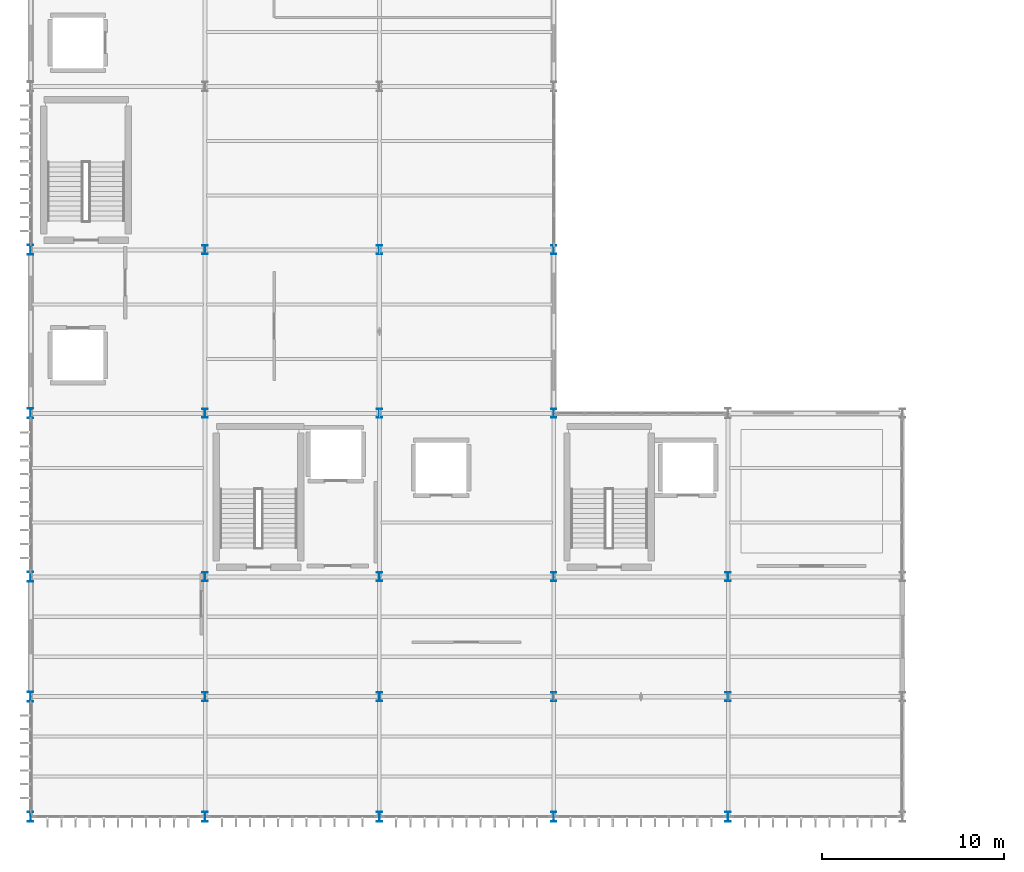
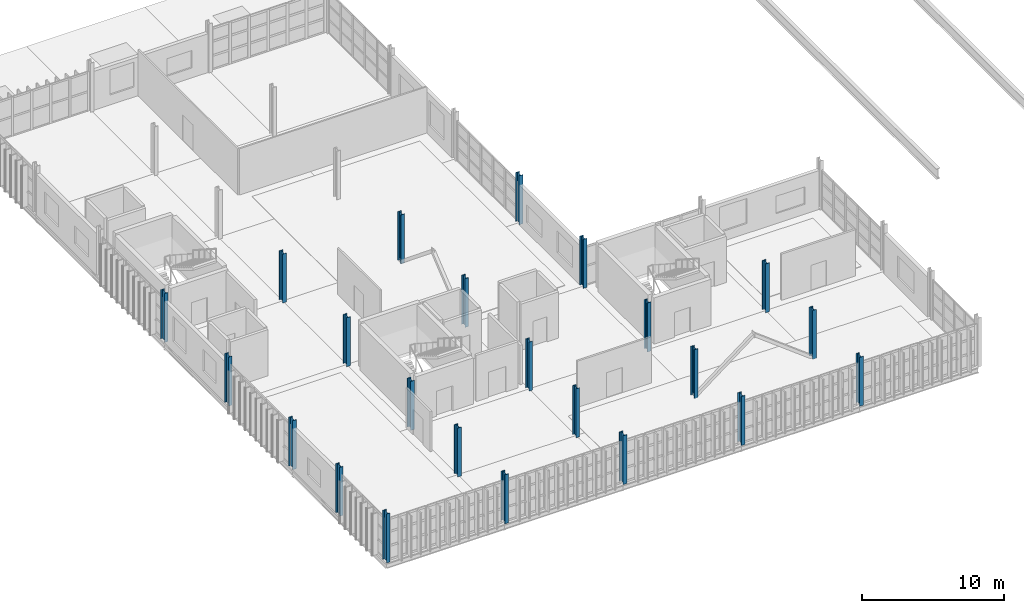
# One storey, part 1 of 52: 23 columns.
"""IFC4 building model written with IfcOpenShell, lengths in metres."""

from ifc_helpers import new_model, si_unit, direction, frame, origin, origin_2d, place, context, subcontext, project, spatial, i_section, extrude, material, material_profile, profile_set, type_object, element, save


model = new_model("IFC4")

# Units and contexts
model_context = context("Model", 3, precision=1e-05, world=origin(), true_north=direction((0.0, 1.0)))
body_context = subcontext(model_context, "Body", "Model", "MODEL_VIEW")
ifc_project = project(units=[si_unit("LENGTHUNIT", "METRE"), si_unit("AREAUNIT", "SQUARE_METRE"), si_unit("VOLUMEUNIT", "CUBIC_METRE"), si_unit("PLANEANGLEUNIT", "RADIAN"), si_unit("MASSUNIT", "GRAM", prefix="KILO")], contexts=[model_context])

# Site, building, storey
site_placement = place(None, origin())
site = spatial("IfcSite", under=ifc_project, at=site_placement, CompositionType="ELEMENT")
building_placement = place(site_placement, origin())
building = spatial("IfcBuilding", under=site, at=building_placement, Name="Zarnetskaya Central Station", CompositionType="ELEMENT")
storey_placement = place(building_placement, frame((0.0, 0.0, 14.39990234375)))
storey = spatial("IfcBuildingStorey", under=building, at=storey_placement, Name="L03", CompositionType="ELEMENT", Elevation=14.39990234375)

# Columns
ifc_material = material(Name="Steel S355", Category="steel")
ifc_material_profile_1 = material_profile(ifc_material, i_section(OverallWidth=0.300048828125, OverallDepth=0.550048828125, WebThickness=0.014892578125, FlangeThickness=0.029052734375, FilletRadius=0.027099609375, at=origin_2d()), Name="HEB 550")
ifc_profile_set_1 = profile_set([ifc_material_profile_1], Name="Steel S355")
column_type_1 = type_object("IfcColumnType", Name="COL-V5-MID-E", PredefinedType="COLUMN", material=ifc_profile_set_1)
for number, where, z_axis, x_axis, name in (
    (1, (0.0, 0.0, 0.0), (0.0, 0.0, 1.0), (1.0, 0.0, 0.0), "Column A1 L03"),
    (2, (0.0, 6.60009765625, 0.0), (0.0, 0.0, 1.0), (1.0, 0.0, 0.0), "Column A2 L03"),
    (3, (0.0, 13.199951171875, 0.0), (0.0, 0.0, 1.0), (1.0, 0.0, 0.0), "Column A3 L03"),
    (4, (0.0, 22.199951171875, 0.0), (0.0, 0.0, 1.0), (1.0, 0.0, 0.0), "Column A4 L03"),
    (5, (0.0, 31.199951171875, 0.0), (0.0, 0.0, 1.0), (1.0, 0.0, 0.0), "Column A5 L03"),
    (6, (9.60009765625, 0.0, 0.0), (0.0, 0.0, 1.0), (1.0, 0.0, 0.0), "Column B1 L03"),
    (7, (19.199951171875, 0.0, 0.0), (0.0, 0.0, 1.0), (1.0, 0.0, 0.0), "Column C1 L03"),
    (8, (28.800048828125, 0.0, 0.0), (0.0, 0.0, 1.0), (1.0, 0.0, 0.0), "Column D1 L03"),
    (9, (38.39990234375, 0.0, 0.0), (0.0, 0.0, 1.0), (1.0, 0.0, 0.0), "Column E1 L03"),
):
    element("IfcColumn", number, at=place(storey_placement, frame(where, z_axis=z_axis, x_axis=x_axis)), inside=storey, type_object=column_type_1, Name=name, PredefinedType="COLUMN", context=body_context, shape_type="SweptSolid", body=[
        extrude(i_section(OverallWidth=0.300048828125, OverallDepth=0.550048828125, WebThickness=0.014892578125, FlangeThickness=0.029052734375, FilletRadius=0.027099609375, at=origin_2d()), origin(), (0.0, 0.0, 1.0), 4.2001953125),
    ])
ifc_material_profile_2 = material_profile(ifc_material, i_section(OverallWidth=0.300048828125, OverallDepth=0.5, WebThickness=0.014404296875, FlangeThickness=0.028076171875, FilletRadius=0.027099609375, at=origin_2d()), Name="HEB 500")
ifc_profile_set_2 = profile_set([ifc_material_profile_2], Name="Steel S355")
column_type_2 = type_object("IfcColumnType", Name="COL-V5-MID-I", PredefinedType="COLUMN", material=ifc_profile_set_2)
for number, where, z_axis, x_axis, name in (
    (10, (9.60009765625, 6.60009765625, 0.0), (0.0, 0.0, 1.0), (1.0, 0.0, 0.0), "Column B2 L03"),
    (11, (9.60009765625, 13.199951171875, 0.0), (0.0, 0.0, 1.0), (1.0, 0.0, 0.0), "Column B3 L03"),
    (12, (9.60009765625, 22.199951171875, 0.0), (0.0, 0.0, 1.0), (1.0, 0.0, 0.0), "Column B4 L03"),
    (13, (9.60009765625, 31.199951171875, 0.0), (0.0, 0.0, 1.0), (1.0, 0.0, 0.0), "Column B5 L03"),
    (14, (19.199951171875, 6.60009765625, 0.0), (0.0, 0.0, 1.0), (1.0, 0.0, 0.0), "Column C2 L03"),
    (15, (19.199951171875, 13.199951171875, 0.0), (0.0, 0.0, 1.0), (1.0, 0.0, 0.0), "Column C3 L03"),
    (16, (19.199951171875, 22.199951171875, 0.0), (0.0, 0.0, 1.0), (1.0, 0.0, 0.0), "Column C4 L03"),
    (17, (19.199951171875, 31.199951171875, 0.0), (0.0, 0.0, 1.0), (1.0, 0.0, 0.0), "Column C5 L03"),
    (18, (28.800048828125, 6.60009765625, 0.0), (0.0, 0.0, 1.0), (1.0, 0.0, 0.0), "Column D2 L03"),
    (19, (28.800048828125, 13.199951171875, 0.0), (0.0, 0.0, 1.0), (1.0, 0.0, 0.0), "Column D3 L03"),
    (20, (28.800048828125, 22.199951171875, 0.0), (0.0, 0.0, 1.0), (1.0, 0.0, 0.0), "Column D4 L03"),
    (21, (28.800048828125, 31.199951171875, 0.0), (0.0, 0.0, 1.0), (1.0, 0.0, 0.0), "Column D5 L03"),
    (22, (38.39990234375, 6.60009765625, 0.0), (0.0, 0.0, 1.0), (1.0, 0.0, 0.0), "Column E2 L03"),
    (23, (38.39990234375, 13.199951171875, 0.0), (0.0, 0.0, 1.0), (1.0, 0.0, 0.0), "Column E3 L03"),
):
    element("IfcColumn", number, at=place(storey_placement, frame(where, z_axis=z_axis, x_axis=x_axis)), inside=storey, type_object=column_type_2, Name=name, PredefinedType="COLUMN", context=body_context, shape_type="SweptSolid", body=[
        extrude(i_section(OverallWidth=0.300048828125, OverallDepth=0.5, WebThickness=0.014404296875, FlangeThickness=0.028076171875, FilletRadius=0.027099609375, at=origin_2d()), origin(), (0.0, 0.0, 1.0), 4.2001953125),
    ])

save(model, "model.ifc")
